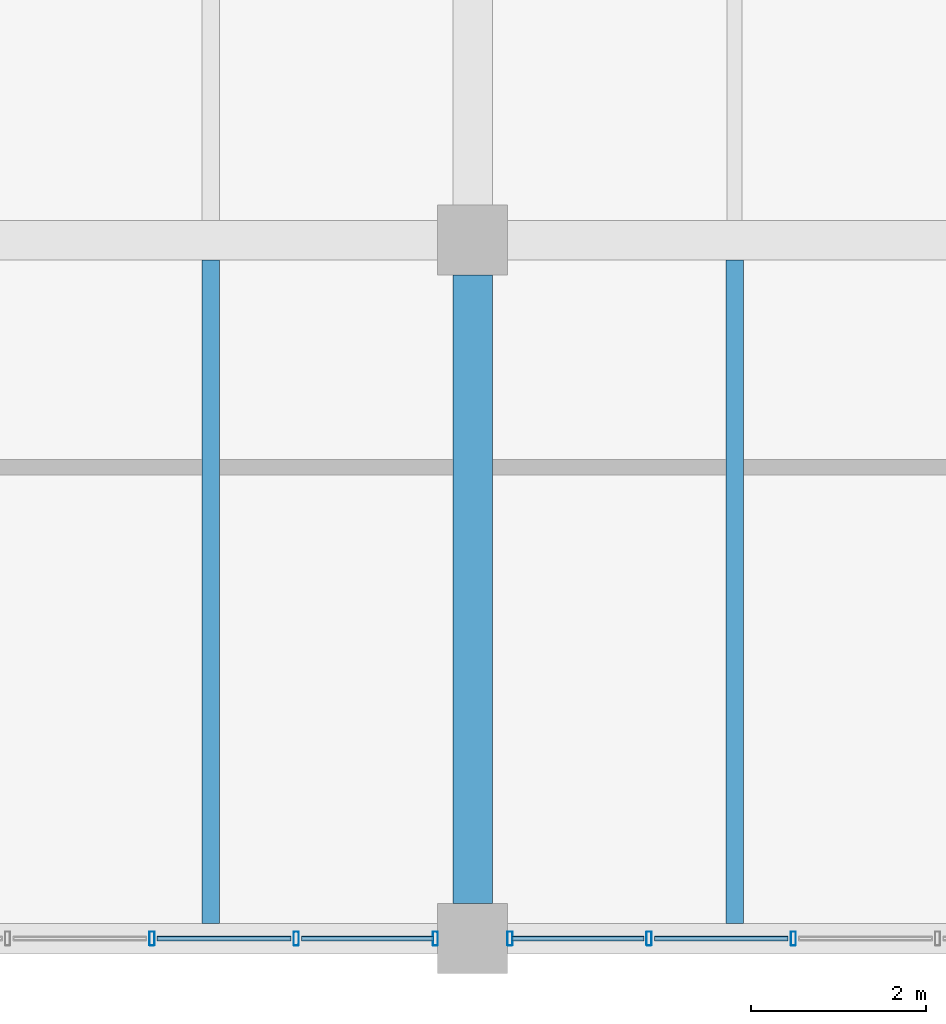
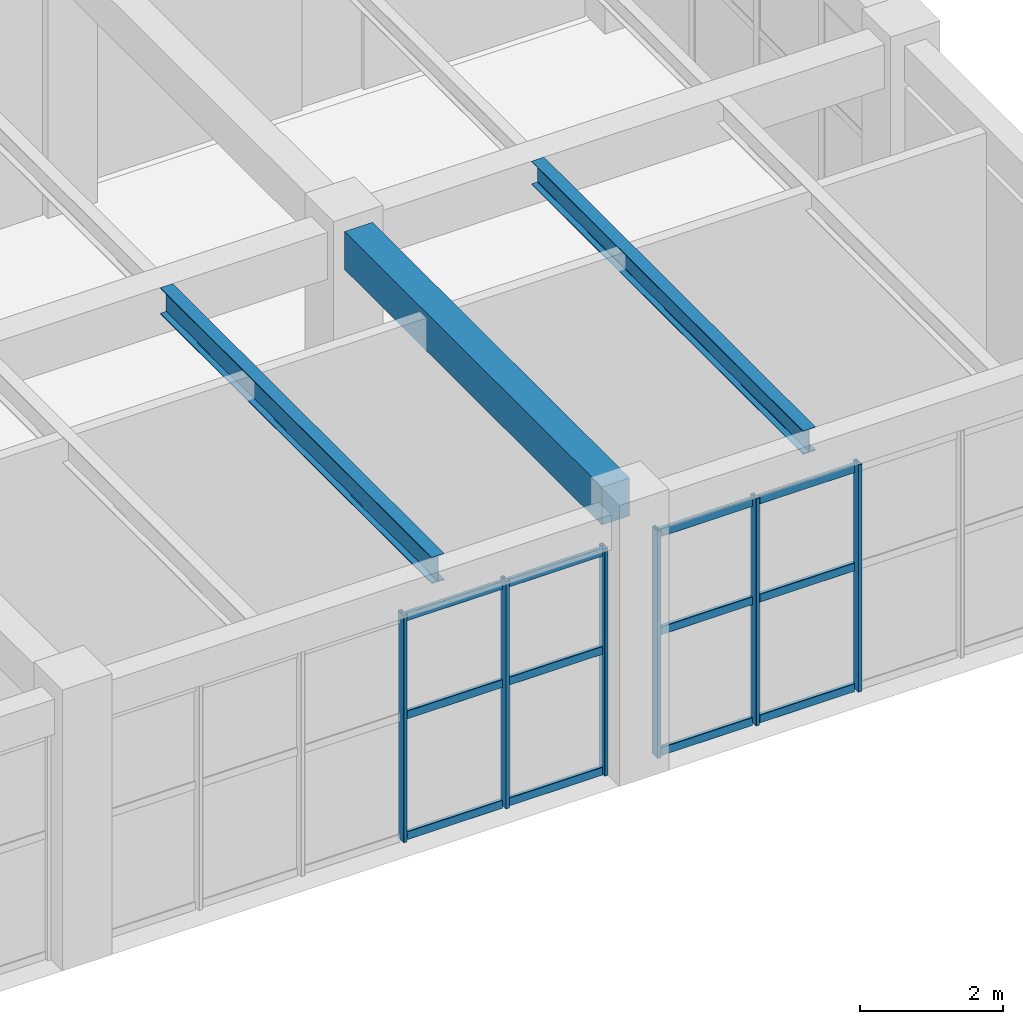
# One storey, part 25 of 178: 18 members, 3 beams, 2 elements without a shape of their own.
"""IFC4 building model written with IfcOpenShell, lengths in metres."""

import ifcopenshell
import ifcopenshell.guid

model = None  # the IFC model being written
_history = None  # IfcOwnerHistory: only IFC2X3 demands one
_inside = {}  # id of a spatial element -> (the spatial element, [elements in it])
_under = {}  # id of a project, library or spatial element -> (it, [spatial elements below it])
_declared = {}  # id of a project -> (the project, [libraries it declares])
_typed = {}  # id of a type object -> (the type object, [elements of that type])
_made_of = {}  # id of a material, layer set ... -> (it, [elements and type objects made of it])


def new_model(schema):
    """Start an empty IFC model of exactly this schema.

    Asked for "IFC4X3", IfcOpenShell would pick the latest addendum, in which some entities
    have other attributes; the version numbers below select the first issue.
    IFC2X3 requires an IfcOwnerHistory on every rooted entity: one is made here for all.
    """
    global model, _history
    if schema == "IFC4X3":
        model = ifcopenshell.file(schema_version=(4, 3, 0, 0))
    else:
        model = ifcopenshell.file(schema=schema)
    _inside.clear()
    _under.clear()
    _declared.clear()
    _typed.clear()
    _made_of.clear()
    _history = None
    if model.schema == "IFC2X3":
        org = make("IfcOrganization", Name="unknown")
        user = make(
            "IfcPersonAndOrganization",
            ThePerson=make("IfcPerson", FamilyName="unknown"),
            TheOrganization=org,
        )
        app = make(
            "IfcApplication",
            ApplicationDeveloper=org,
            Version="unknown",
            ApplicationFullName="unknown",
            ApplicationIdentifier="unknown",
        )
        _history = make(
            "IfcOwnerHistory",
            OwningUser=user,
            OwningApplication=app,
            ChangeAction="ADDED",
            CreationDate=0,
        )
    return model


def make(cls, **values):
    """One entity of the class cls with the attributes given. An attribute that is None is left unset."""
    return model.create_entity(
        cls, **{name: value for name, value in values.items() if value is not None}
    )


def rooted(cls, **values):
    """An entity with a GlobalId (a new one), such as an element, a storey or a relation."""
    return make(cls, GlobalId=ifcopenshell.guid.new(), OwnerHistory=_history, **values)


def si_unit(unit_type, name, prefix=None):
    """IfcSIUnit, for example si_unit("LENGTHUNIT", "METRE", prefix="MILLI")."""
    return make("IfcSIUnit", UnitType=unit_type, Prefix=prefix, Name=name)


def derived_unit(unit_type, elements):
    """IfcDerivedUnit: a product of units, each with its exponent."""
    return make(
        "IfcDerivedUnit",
        Elements=[
            make("IfcDerivedUnitElement", Unit=unit, Exponent=power)
            for unit, power in elements
        ],
        UnitType=unit_type,
    )


def assignment(units):
    """IfcUnitAssignment: the units of a project."""
    return None if units is None else make("IfcUnitAssignment", Units=units)


def point(xyz):
    """IfcCartesianPoint."""
    return None if xyz is None else make("IfcCartesianPoint", Coordinates=xyz)


def direction(xyz):
    """IfcDirection."""
    return None if xyz is None else make("IfcDirection", DirectionRatios=xyz)


def frame(location, z_axis=None, x_axis=None):
    """IfcAxis2Placement3D, a coordinate frame: its origin and axes. An axis left out is left unset."""
    return make(
        "IfcAxis2Placement3D",
        Location=point(location),
        Axis=direction(z_axis),
        RefDirection=direction(x_axis),
    )


def frame_2d(location, x_axis=None):
    """IfcAxis2Placement2D, a coordinate frame in the plane: its origin and x axis."""
    return make(
        "IfcAxis2Placement2D", Location=point(location), RefDirection=direction(x_axis)
    )


def origin():
    """The frame at (0, 0, 0) with its axes left unset."""
    return frame((0.0, 0.0, 0.0))


def origin_2d():
    """The frame at (0, 0) in the plane with its x axis left unset."""
    return frame_2d((0.0, 0.0))


def place(relative_to, where):
    """IfcLocalPlacement: puts the frame where relative to a parent placement (None: the world)."""
    return make(
        "IfcLocalPlacement", PlacementRelTo=relative_to, RelativePlacement=where
    )


def context(
    kind, dimensions, precision=None, world=None, true_north=None, identifier=None
):
    """IfcGeometricRepresentationContext, for example the 3D "Model" context."""
    return make(
        "IfcGeometricRepresentationContext",
        ContextIdentifier=identifier,
        ContextType=kind,
        CoordinateSpaceDimension=dimensions,
        Precision=precision,
        WorldCoordinateSystem=world,
        TrueNorth=true_north,
    )


def subcontext(parent, identifier, kind, view, scale=None):
    """IfcGeometricRepresentationSubContext, for example "Body" below "Model"."""
    return make(
        "IfcGeometricRepresentationSubContext",
        ContextIdentifier=identifier,
        ContextType=kind,
        ParentContext=parent,
        TargetScale=scale,
        TargetView=view,
    )


def project(units=None, contexts=None):
    """IfcProject with its units and contexts."""
    return rooted(
        "IfcProject",
        Name="project",
        RepresentationContexts=contexts,
        UnitsInContext=assignment(units),
    )


def spatial(cls, under=None, at=None, **own):
    """A site, building, storey or space (cls), placed at a placement, below another one or the project."""
    s = rooted(cls, ObjectPlacement=at, **own)
    if under is not None:
        _under.setdefault(under.id(), (under, []))[1].append(s)
    return s


def profile(cls, at=None, kind="AREA", **sizes):
    """A parametric profile (cls). Its sizes go by their IFC names, for example OverallWidth=200.0."""
    return make(cls, ProfileType=kind, Position=at, **sizes)


def rectangle(**sizes):
    """IfcRectangleProfileDef."""
    return profile("IfcRectangleProfileDef", **sizes)


def hollow_rectangle(**sizes):
    """IfcRectangleHollowProfileDef."""
    return profile("IfcRectangleHollowProfileDef", **sizes)


def i_section(**sizes):
    """IfcIShapeProfileDef."""
    return profile("IfcIShapeProfileDef", **sizes)


def extrude(swept, where, along, depth):
    """IfcExtrudedAreaSolid: the profile swept, set in the frame where, extruded along a direction by depth."""
    return make(
        "IfcExtrudedAreaSolid",
        SweptArea=swept,
        Position=where,
        ExtrudedDirection=direction(along),
        Depth=depth,
    )


def shape(context_of_items, identifier, shape_type, items):
    """IfcShapeRepresentation: the items that make up one representation, for example the "Body"."""
    return make(
        "IfcShapeRepresentation",
        ContextOfItems=context_of_items,
        RepresentationIdentifier=identifier,
        RepresentationType=shape_type,
        Items=items,
    )


def material(Name=None, Category=None):
    """IfcMaterial."""
    return make("IfcMaterial", Name=Name, Category=Category)


def material_profile(
    of_material, cross_section, Name=None, Category=None, Priority=None
):
    """IfcMaterialProfile: a cross section and its material."""
    return make(
        "IfcMaterialProfile",
        Name=Name,
        Material=of_material,
        Profile=cross_section,
        Priority=Priority,
        Category=Category,
    )


def profile_set(profiles, Name=None, composite=None):
    """IfcMaterialProfileSet."""
    return make(
        "IfcMaterialProfileSet",
        Name=Name,
        MaterialProfiles=profiles,
        CompositeProfile=composite,
    )


def made_of(thing, what):
    """Note that an element or type object is made of a material, layer set ...; save() writes the relation."""
    if what is not None:
        _made_of.setdefault(what.id(), (what, []))[1].append(thing)
    return thing


def type_object(cls, material=None, **own):
    """A type object (cls), such as IfcWallType, which elements share."""
    return made_of(rooted(cls, **own), material)


def element(
    cls,
    number,
    at=None,
    inside=None,
    cuts=None,
    type_object=None,
    material=None,
    context=None,
    identifier="Body",
    shape_type=None,
    held_by="IfcProductDefinitionShape",
    body=None,
    shapes=None,
    **own,
):
    """One element of the class cls, such as IfcWall. Its Tag is "e" and its number.

    at: its placement. inside: the storey or other place that contains it. cuts: it is an
    opening in that element (IfcRelVoidsElement). A single representation is given by context,
    identifier, shape_type and body (its items); several are given by shapes. held_by: the class
    of the entity that holds the representations. save() writes the other relations.
    """
    e = rooted(cls, Tag="e%d" % number, ObjectPlacement=at, **own)
    if body is not None:
        shapes = [shape(context, identifier, shape_type, body)]
    if shapes is not None:
        e.Representation = make(held_by, Representations=shapes)
    if inside is not None:
        _inside.setdefault(inside.id(), (inside, []))[1].append(e)
    if cuts is not None:
        rooted(
            "IfcRelVoidsElement", RelatingBuildingElement=cuts, RelatedOpeningElement=e
        )
    if type_object is not None:
        _typed.setdefault(type_object.id(), (type_object, []))[1].append(e)
    return made_of(e, material)


def aggregate(whole, parts):
    """IfcRelAggregates: a whole, such as a stair, and the parts it consists of."""
    return rooted("IfcRelAggregates", RelatingObject=whole, RelatedObjects=parts)


def save(model, path):
    """Write the relations noted so far, then the file.

    IfcRelAggregates (storeys below a building ...), IfcRelContainedInSpatialStructure (elements
    in a storey), IfcRelDefinesByType, IfcRelAssociatesMaterial and IfcRelDeclares: one each for
    every whole, place, type object, material and project.
    """
    for whole, parts in _under.values():
        aggregate(whole, parts)
    for where, things in _inside.values():
        rooted(
            "IfcRelContainedInSpatialStructure",
            RelatedElements=things,
            RelatingStructure=where,
        )
    for kind, things in _typed.values():
        rooted("IfcRelDefinesByType", RelatedObjects=things, RelatingType=kind)
    for what, things in _made_of.values():
        rooted("IfcRelAssociatesMaterial", RelatedObjects=things, RelatingMaterial=what)
    for by, libraries in _declared.values():
        rooted("IfcRelDeclares", RelatingContext=by, RelatedDefinitions=libraries)
    model.write(path)


model = new_model("IFC4")

# Units and contexts
model_context = context("Model", 3, precision=1e-05, world=origin(), true_north=direction((0.0, 1.0)))
body_context = subcontext(model_context, "Body", "Model", "MODEL_VIEW")
ifc_project = project(units=[si_unit("LENGTHUNIT", "METRE"), si_unit("AREAUNIT", "SQUARE_METRE"), si_unit("VOLUMEUNIT", "CUBIC_METRE"), si_unit("PLANEANGLEUNIT", "RADIAN"), si_unit("MASSUNIT", "GRAM", prefix="KILO"), derived_unit("THERMALTRANSMITTANCEUNIT", [(si_unit("MASSUNIT", "GRAM", prefix="KILO"), 1), (si_unit("TIMEUNIT", "SECOND"), -3), (si_unit("THERMODYNAMICTEMPERATUREUNIT", "KELVIN"), -1)])], contexts=[model_context])

# Site, building, storey
site_placement = place(None, origin())
site = spatial("IfcSite", under=ifc_project, at=site_placement, CompositionType="ELEMENT")
building_placement = place(site_placement, origin())
building = spatial("IfcBuilding", under=site, at=building_placement, Name="Zhenchuan Archway Interchange", CompositionType="ELEMENT")
storey_placement = place(building_placement, frame((0.0, 0.0, 5.39990234375)))
storey = spatial("IfcBuildingStorey", under=building, at=storey_placement, Name="L01", CompositionType="ELEMENT", Elevation=5.39990234375)

# Beam
ifc_material_1 = material(Name="Concrete C40", Category="concrete")
ifc_material_profile_1 = material_profile(ifc_material_1, rectangle(XDim=0.449951171875, YDim=0.64990234375, at=origin_2d()), Name="RC 450x650")
ifc_profile_set_1 = profile_set([ifc_material_profile_1], Name="Concrete C40")
beam_type_1 = type_object("IfcBeamType", Name="BM_RC_450x650", PredefinedType="BEAM", material=ifc_profile_set_1)
beam_1_placement = place(storey_placement, frame((36.0, 0.39990234375, 4.2451171875), z_axis=(0.0, 1.0, 0.0), x_axis=(-1.0, 0.0, 0.0)))
element("IfcBeam", 1, at=beam_1_placement, inside=storey, type_object=beam_type_1, Name="Beam 5:A-B (L01)", PredefinedType="BEAM", context=body_context, shape_type="SweptSolid", body=[
    extrude(rectangle(XDim=0.449951171875, YDim=0.64990234375, at=origin_2d()), origin(), (0.0, 0.0, 1.0), 7.2001953125),
])

# Curtain wall, members
ifc_material_2 = material(Name="Anodised Aluminium", Category="aluminium")
curtain_wall_type_1 = type_object("IfcCurtainWallType", Name="CW_UNIT_3", PredefinedType="NOTDEFINED", material=ifc_material_2)
curtain_wall_1_placement = place(storey_placement, origin())
curtain_wall_1 = element("IfcCurtainWall", 2, at=curtain_wall_1_placement, inside=storey, type_object=curtain_wall_type_1, Name="Unitised curtain wall CW:L01:082", PredefinedType="NOTDEFINED")
ifc_material_profile_2 = material_profile(ifc_material_2, hollow_rectangle(XDim=0.06005859375, YDim=0.159912109375, WallThickness=0.00390625, InnerFilletRadius=0.00390625, OuterFilletRadius=0.008056640625, at=origin_2d()), Name="ALU 160x60x4")
ifc_profile_set_2 = profile_set([ifc_material_profile_2], Name="Anodised Aluminium")
member_type_1 = type_object("IfcMemberType", Name="CW_MUL_150", PredefinedType="MULLION", material=ifc_profile_set_2)
member_1_placement = place(storey_placement, frame((39.673583984375, 0.0, 0.0), z_axis=(0.0, 0.0, 1.0), x_axis=(1.0, 0.0, 0.0)))
member_1 = element("IfcMember", 3, at=member_1_placement, type_object=member_type_1, Name="CW:L01:082 mullion 3", PredefinedType="MULLION", context=body_context, shape_type="SweptSolid", body=[
    extrude(hollow_rectangle(XDim=0.06005859375, YDim=0.159912109375, WallThickness=0.00390625, InnerFilletRadius=0.00390625, OuterFilletRadius=0.008056640625, at=origin_2d()), origin(), (0.0, 0.0, 1.0), 3.880126953125),
])
member_2_placement = place(storey_placement, frame((38.020751953125, 0.0, 0.0), z_axis=(0.0, 0.0, 1.0), x_axis=(1.0, 0.0, 0.0)))
member_2 = element("IfcMember", 4, at=member_2_placement, type_object=member_type_1, Name="CW:L01:082 mullion 4", PredefinedType="MULLION", context=body_context, shape_type="SweptSolid", body=[
    extrude(hollow_rectangle(XDim=0.06005859375, YDim=0.159912109375, WallThickness=0.00390625, InnerFilletRadius=0.00390625, OuterFilletRadius=0.008056640625, at=origin_2d()), origin(), (0.0, 0.0, 1.0), 3.880126953125),
])
member_3_placement = place(storey_placement, frame((36.427978515625, 0.0, 0.0), z_axis=(0.0, 0.0, 1.0), x_axis=(1.0, 0.0, 0.0)))
member_3 = element("IfcMember", 5, at=member_3_placement, type_object=member_type_1, Name="CW:L01:082 mullion 5", PredefinedType="MULLION", context=body_context, shape_type="SweptSolid", body=[
    extrude(hollow_rectangle(XDim=0.06005859375, YDim=0.159912109375, WallThickness=0.00390625, InnerFilletRadius=0.00390625, OuterFilletRadius=0.008056640625, at=origin_2d()), origin(), (0.0, 0.0, 1.0), 3.880126953125),
])

curtain_wall_type_2 = type_object("IfcCurtainWallType", Name="CW_UNIT_4", PredefinedType="NOTDEFINED", material=ifc_material_2)
curtain_wall_2_placement = place(storey_placement, origin())
curtain_wall_2 = element("IfcCurtainWall", 6, at=curtain_wall_2_placement, inside=storey, type_object=curtain_wall_type_2, Name="Unitised curtain wall CW:L01:083", PredefinedType="NOTDEFINED")
member_4_placement = place(storey_placement, frame((35.572021484375, 0.0, 0.0), z_axis=(0.0, 0.0, 1.0), x_axis=(1.0, 0.0, 0.0)))
member_4 = element("IfcMember", 7, at=member_4_placement, type_object=member_type_1, Name="CW:L01:083 mullion 0", PredefinedType="MULLION", context=body_context, shape_type="SweptSolid", body=[
    extrude(hollow_rectangle(XDim=0.06005859375, YDim=0.159912109375, WallThickness=0.00390625, InnerFilletRadius=0.00390625, OuterFilletRadius=0.008056640625, at=origin_2d()), origin(), (0.0, 0.0, 1.0), 3.880126953125),
])
member_5_placement = place(storey_placement, frame((33.979248046875, 0.0, 0.0), z_axis=(0.0, 0.0, 1.0), x_axis=(1.0, 0.0, 0.0)))
member_5 = element("IfcMember", 8, at=member_5_placement, type_object=member_type_1, Name="CW:L01:083 mullion 1", PredefinedType="MULLION", context=body_context, shape_type="SweptSolid", body=[
    extrude(hollow_rectangle(XDim=0.06005859375, YDim=0.159912109375, WallThickness=0.00390625, InnerFilletRadius=0.00390625, OuterFilletRadius=0.008056640625, at=origin_2d()), origin(), (0.0, 0.0, 1.0), 3.880126953125),
])
member_6_placement = place(storey_placement, frame((32.326416015625, 0.0, 0.0), z_axis=(0.0, 0.0, 1.0), x_axis=(1.0, 0.0, 0.0)))
member_6 = element("IfcMember", 9, at=member_6_placement, type_object=member_type_1, Name="CW:L01:083 mullion 2", PredefinedType="MULLION", context=body_context, shape_type="SweptSolid", body=[
    extrude(hollow_rectangle(XDim=0.06005859375, YDim=0.159912109375, WallThickness=0.00390625, InnerFilletRadius=0.00390625, OuterFilletRadius=0.008056640625, at=origin_2d()), origin(), (0.0, 0.0, 1.0), 3.880126953125),
])

# Member
ifc_material_profile_3 = material_profile(ifc_material_2, hollow_rectangle(XDim=0.06005859375, YDim=0.139892578125, WallThickness=0.00341796875, InnerFilletRadius=0.00341796875, OuterFilletRadius=0.007080078125, at=origin_2d()), Name="ALU 140x60x3.5")
ifc_profile_set_3 = profile_set([ifc_material_profile_3], Name="Anodised Aluminium")
member_type_2 = type_object("IfcMemberType", Name="CW_TRN_140", PredefinedType="USERDEFINED", material=ifc_profile_set_3)
member_7_placement = place(storey_placement, frame((39.613525390625, 0.0, 0.06005859375), z_axis=(-1.0, 0.0, 0.0), x_axis=(0.0, -1.0, 0.0)))
member_7 = element("IfcMember", 10, at=member_7_placement, type_object=member_type_2, Name="CW:L01:082 transom 3-1", ObjectType="TRANSOM", PredefinedType="USERDEFINED", context=body_context, shape_type="SweptSolid", body=[
    extrude(hollow_rectangle(XDim=0.06005859375, YDim=0.139892578125, WallThickness=0.00341796875, InnerFilletRadius=0.00341796875, OuterFilletRadius=0.007080078125, at=origin_2d()), origin(), (0.0, 0.0, 1.0), 1.53271484375),
])

member_8_placement = place(storey_placement, frame((39.613525390625, 0.0, 2.123046875), z_axis=(-1.0, 0.0, 0.0), x_axis=(0.0, -1.0, 0.0)))
member_8 = element("IfcMember", 11, at=member_8_placement, type_object=member_type_2, Name="CW:L01:082 transom 3-2", ObjectType="TRANSOM", PredefinedType="USERDEFINED", context=body_context, shape_type="SweptSolid", body=[
    extrude(hollow_rectangle(XDim=0.06005859375, YDim=0.139892578125, WallThickness=0.00341796875, InnerFilletRadius=0.00341796875, OuterFilletRadius=0.007080078125, at=origin_2d()), origin(), (0.0, 0.0, 1.0), 1.53271484375),
])

member_9_placement = place(storey_placement, frame((39.613525390625, 0.0, 3.800048828125), z_axis=(-1.0, 0.0, 0.0), x_axis=(0.0, -1.0, 0.0)))
member_9 = element("IfcMember", 12, at=member_9_placement, type_object=member_type_2, Name="CW:L01:082 transom 3-3", ObjectType="TRANSOM", PredefinedType="USERDEFINED", context=body_context, shape_type="SweptSolid", body=[
    extrude(hollow_rectangle(XDim=0.06005859375, YDim=0.139892578125, WallThickness=0.00341796875, InnerFilletRadius=0.00341796875, OuterFilletRadius=0.007080078125, at=origin_2d()), origin(), (0.0, 0.0, 1.0), 1.53271484375),
])

member_10_placement = place(storey_placement, frame((37.960693359375, 0.0, 0.06005859375), z_axis=(-1.0, 0.0, 0.0), x_axis=(0.0, -1.0, 0.0)))
member_10 = element("IfcMember", 13, at=member_10_placement, type_object=member_type_2, Name="CW:L01:082 transom 4-1", ObjectType="TRANSOM", PredefinedType="USERDEFINED", context=body_context, shape_type="SweptSolid", body=[
    extrude(hollow_rectangle(XDim=0.06005859375, YDim=0.139892578125, WallThickness=0.00341796875, InnerFilletRadius=0.00341796875, OuterFilletRadius=0.007080078125, at=origin_2d()), origin(), (0.0, 0.0, 1.0), 1.5126953125),
])

member_11_placement = place(storey_placement, frame((37.960693359375, 0.0, 2.123046875), z_axis=(-1.0, 0.0, 0.0), x_axis=(0.0, -1.0, 0.0)))
member_11 = element("IfcMember", 14, at=member_11_placement, type_object=member_type_2, Name="CW:L01:082 transom 4-2", ObjectType="TRANSOM", PredefinedType="USERDEFINED", context=body_context, shape_type="SweptSolid", body=[
    extrude(hollow_rectangle(XDim=0.06005859375, YDim=0.139892578125, WallThickness=0.00341796875, InnerFilletRadius=0.00341796875, OuterFilletRadius=0.007080078125, at=origin_2d()), origin(), (0.0, 0.0, 1.0), 1.5126953125),
])

member_12_placement = place(storey_placement, frame((37.960693359375, 0.0, 3.800048828125), z_axis=(-1.0, 0.0, 0.0), x_axis=(0.0, -1.0, 0.0)))
member_12 = element("IfcMember", 15, at=member_12_placement, type_object=member_type_2, Name="CW:L01:082 transom 4-3", ObjectType="TRANSOM", PredefinedType="USERDEFINED", context=body_context, shape_type="SweptSolid", body=[
    extrude(hollow_rectangle(XDim=0.06005859375, YDim=0.139892578125, WallThickness=0.00341796875, InnerFilletRadius=0.00341796875, OuterFilletRadius=0.007080078125, at=origin_2d()), origin(), (0.0, 0.0, 1.0), 1.5126953125),
])

aggregate(curtain_wall_1, [member_1, member_2, member_3, member_7, member_8, member_9, member_10, member_11, member_12])

member_13_placement = place(storey_placement, frame((35.552001953125, 0.0, 0.06005859375), z_axis=(-1.0, 0.0, 0.0), x_axis=(0.0, -1.0, 0.0)))
member_13 = element("IfcMember", 16, at=member_13_placement, type_object=member_type_2, Name="CW:L01:083 transom 0-1", ObjectType="TRANSOM", PredefinedType="USERDEFINED", context=body_context, shape_type="SweptSolid", body=[
    extrude(hollow_rectangle(XDim=0.06005859375, YDim=0.139892578125, WallThickness=0.00341796875, InnerFilletRadius=0.00341796875, OuterFilletRadius=0.007080078125, at=origin_2d()), origin(), (0.0, 0.0, 1.0), 1.5126953125),
])

member_14_placement = place(storey_placement, frame((35.552001953125, 0.0, 2.123046875), z_axis=(-1.0, 0.0, 0.0), x_axis=(0.0, -1.0, 0.0)))
member_14 = element("IfcMember", 17, at=member_14_placement, type_object=member_type_2, Name="CW:L01:083 transom 0-2", ObjectType="TRANSOM", PredefinedType="USERDEFINED", context=body_context, shape_type="SweptSolid", body=[
    extrude(hollow_rectangle(XDim=0.06005859375, YDim=0.139892578125, WallThickness=0.00341796875, InnerFilletRadius=0.00341796875, OuterFilletRadius=0.007080078125, at=origin_2d()), origin(), (0.0, 0.0, 1.0), 1.5126953125),
])

member_15_placement = place(storey_placement, frame((35.552001953125, 0.0, 3.800048828125), z_axis=(-1.0, 0.0, 0.0), x_axis=(0.0, -1.0, 0.0)))
member_15 = element("IfcMember", 18, at=member_15_placement, type_object=member_type_2, Name="CW:L01:083 transom 0-3", ObjectType="TRANSOM", PredefinedType="USERDEFINED", context=body_context, shape_type="SweptSolid", body=[
    extrude(hollow_rectangle(XDim=0.06005859375, YDim=0.139892578125, WallThickness=0.00341796875, InnerFilletRadius=0.00341796875, OuterFilletRadius=0.007080078125, at=origin_2d()), origin(), (0.0, 0.0, 1.0), 1.5126953125),
])

member_16_placement = place(storey_placement, frame((33.919189453125, 0.0, 0.06005859375), z_axis=(-1.0, 0.0, 0.0), x_axis=(0.0, -1.0, 0.0)))
member_16 = element("IfcMember", 19, at=member_16_placement, type_object=member_type_2, Name="CW:L01:083 transom 1-1", ObjectType="TRANSOM", PredefinedType="USERDEFINED", context=body_context, shape_type="SweptSolid", body=[
    extrude(hollow_rectangle(XDim=0.06005859375, YDim=0.139892578125, WallThickness=0.00341796875, InnerFilletRadius=0.00341796875, OuterFilletRadius=0.007080078125, at=origin_2d()), origin(), (0.0, 0.0, 1.0), 1.53271484375),
])

member_17_placement = place(storey_placement, frame((33.919189453125, 0.0, 2.123046875), z_axis=(-1.0, 0.0, 0.0), x_axis=(0.0, -1.0, 0.0)))
member_17 = element("IfcMember", 20, at=member_17_placement, type_object=member_type_2, Name="CW:L01:083 transom 1-2", ObjectType="TRANSOM", PredefinedType="USERDEFINED", context=body_context, shape_type="SweptSolid", body=[
    extrude(hollow_rectangle(XDim=0.06005859375, YDim=0.139892578125, WallThickness=0.00341796875, InnerFilletRadius=0.00341796875, OuterFilletRadius=0.007080078125, at=origin_2d()), origin(), (0.0, 0.0, 1.0), 1.53271484375),
])

member_18_placement = place(storey_placement, frame((33.919189453125, 0.0, 3.800048828125), z_axis=(-1.0, 0.0, 0.0), x_axis=(0.0, -1.0, 0.0)))
member_18 = element("IfcMember", 21, at=member_18_placement, type_object=member_type_2, Name="CW:L01:083 transom 1-3", ObjectType="TRANSOM", PredefinedType="USERDEFINED", context=body_context, shape_type="SweptSolid", body=[
    extrude(hollow_rectangle(XDim=0.06005859375, YDim=0.139892578125, WallThickness=0.00341796875, InnerFilletRadius=0.00341796875, OuterFilletRadius=0.007080078125, at=origin_2d()), origin(), (0.0, 0.0, 1.0), 1.53271484375),
])

aggregate(curtain_wall_2, [member_4, member_5, member_6, member_13, member_14, member_15, member_16, member_17, member_18])

# Beams
ifc_material_3 = material(Name="Steel Q355", Category="steel")
ifc_material_profile_4 = material_profile(ifc_material_3, i_section(OverallWidth=0.199951171875, OverallDepth=0.39990234375, WebThickness=0.008056640625, FlangeThickness=0.012939453125, FilletRadius=0.01611328125, at=origin_2d()), Name="HN 400x200")
ifc_profile_set_4 = profile_set([ifc_material_profile_4], Name="Steel Q355")
beam_type_2 = type_object("IfcBeamType", Name="JST_STL_HN400", PredefinedType="JOIST", material=ifc_profile_set_4)
beam_2_placement = place(storey_placement, frame((39.0, 0.175048828125, 4.3701171875), z_axis=(0.0, 1.0, 0.0), x_axis=(-1.0, 0.0, 0.0)))
element("IfcBeam", 22, at=beam_2_placement, inside=storey, type_object=beam_type_2, Name="Secondary joist 5-6/A-B #1 (L01)", PredefinedType="JOIST", context=body_context, shape_type="SweptSolid", body=[
    extrude(i_section(OverallWidth=0.199951171875, OverallDepth=0.39990234375, WebThickness=0.008056640625, FlangeThickness=0.012939453125, FilletRadius=0.01611328125, at=origin_2d()), origin(), (0.0, 0.0, 1.0), 7.599853515625),
])
ifc_material_profile_5 = material_profile(ifc_material_3, i_section(OverallWidth=0.199951171875, OverallDepth=0.449951171875, WebThickness=0.009033203125, FlangeThickness=0.013916015625, FilletRadius=0.01806640625, at=origin_2d()), Name="HN 450x200")
ifc_profile_set_5 = profile_set([ifc_material_profile_5], Name="Steel Q355")
beam_type_3 = type_object("IfcBeamType", Name="JST_STL_HN450", PredefinedType="JOIST", material=ifc_profile_set_5)
beam_3_placement = place(storey_placement, frame((33.0, 0.175048828125, 4.28515625), z_axis=(0.0, 1.0, 0.0), x_axis=(-1.0, 0.0, 0.0)))
element("IfcBeam", 23, at=beam_3_placement, inside=storey, type_object=beam_type_3, Name="Secondary joist 4-5/A-B #2 (L01)", PredefinedType="JOIST", context=body_context, shape_type="SweptSolid", body=[
    extrude(i_section(OverallWidth=0.199951171875, OverallDepth=0.449951171875, WebThickness=0.009033203125, FlangeThickness=0.013916015625, FilletRadius=0.01806640625, at=origin_2d()), origin(), (0.0, 0.0, 1.0), 7.599853515625),
])

save(model, "model.ifc")
